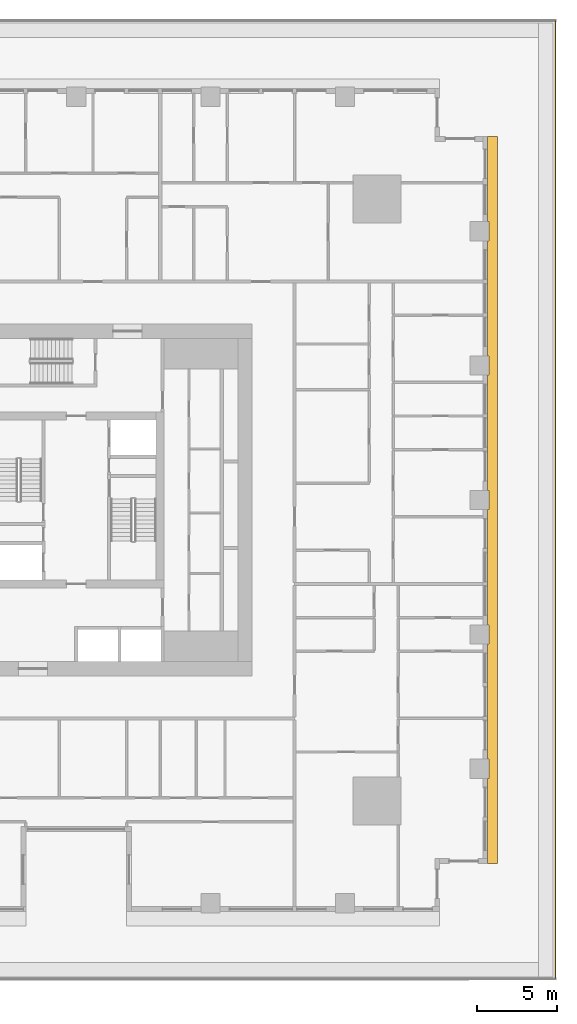
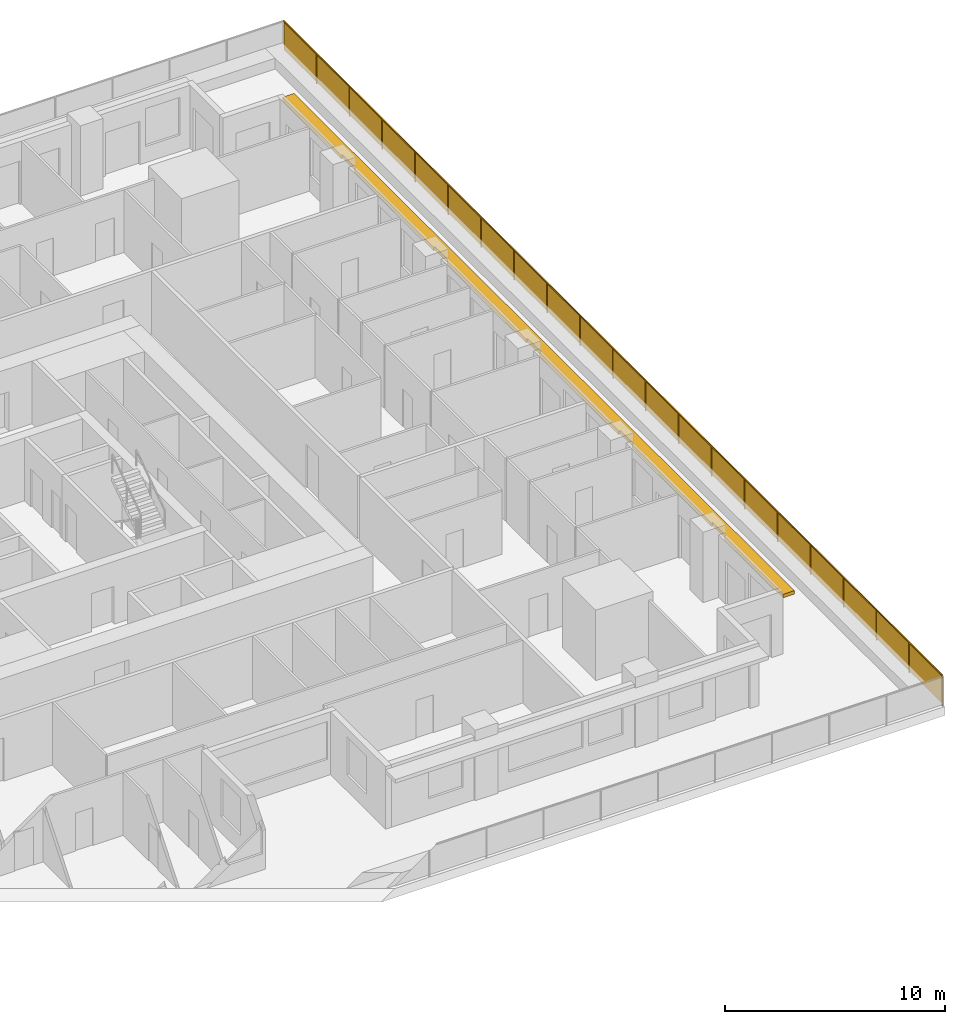
# One storey, part 14 of 16: 1 railing, 1 shading device.
"""IFC4 building model written with IfcOpenShell, lengths in metres."""

from ifc_helpers import new_model, si_unit, direction, frame, origin, origin_2d, place, context, subcontext, project, spatial, polyline, rectangle, outline, extrude, material, layer, layer_set, type_object, element, save


model = new_model("IFC4")

# Units and contexts
model_context = context("Model", 3, precision=1e-05, world=origin(), true_north=direction((0.0, 1.0)))
body_context = subcontext(model_context, "Body", "Model", "MODEL_VIEW")
ifc_project = project(units=[si_unit("LENGTHUNIT", "METRE"), si_unit("AREAUNIT", "SQUARE_METRE"), si_unit("VOLUMEUNIT", "CUBIC_METRE"), si_unit("PLANEANGLEUNIT", "RADIAN"), si_unit("MASSUNIT", "GRAM", prefix="KILO")], contexts=[model_context])

# Site, building, storey
site_placement = place(None, origin())
site = spatial("IfcSite", under=ifc_project, at=site_placement, CompositionType="ELEMENT")
building_placement = place(site_placement, origin())
building = spatial("IfcBuilding", under=site, at=building_placement, Name="Khepri Terraces", CompositionType="ELEMENT")
storey_placement = place(building_placement, frame((0.0, 0.0, 27.0)))
storey = spatial("IfcBuildingStorey", under=building, at=storey_placement, Name="L05", CompositionType="ELEMENT", Elevation=27.0)

# Railing
ifc_material_1 = material(Name="Stainless steel grade 316", Category="steel")
railing_type = type_object("IfcRailingType", Name="GRD-TERR-1700", PredefinedType="GUARDRAIL", material=ifc_material_1)
railing_placement = place(storey_placement, frame((29.949951171875, 29.949951171875, 0.0)))
element("IfcRailing", 1, at=railing_placement, inside=storey, type_object=railing_type, Name="Terrace guard L05", PredefinedType="GUARDRAIL", context=body_context, shape_type="SweptSolid", body=[
    extrude(rectangle(XDim=0.050048828125, YDim=0.06005859375, at=origin_2d()), frame((0.0, 0.0, 1.669921875), z_axis=(0.0, -1.0, 0.0), x_axis=(1.0, 0.0, 0.0)), (0.0, 0.0, 1.0), 59.820068359375),
    extrude(rectangle(XDim=2.94091796875, YDim=0.011962890625, at=origin_2d()), frame((0.0, -1.49560546875, 0.10009765625), z_axis=(0.0, 0.0, 1.0), x_axis=(0.0, -1.0, 0.0)), (0.0, 0.0, 1.0), 1.539794921875),
    extrude(rectangle(XDim=2.94091796875, YDim=0.011962890625, at=origin_2d()), frame((0.0, -4.486572265625, 0.10009765625), z_axis=(0.0, 0.0, 1.0), x_axis=(0.0, -1.0, 0.0)), (0.0, 0.0, 1.0), 1.539794921875),
    extrude(rectangle(XDim=2.94091796875, YDim=0.011962890625, at=origin_2d()), frame((0.0, -7.4775390625, 0.10009765625), z_axis=(0.0, 0.0, 1.0), x_axis=(0.0, -1.0, 0.0)), (0.0, 0.0, 1.0), 1.539794921875),
    extrude(rectangle(XDim=2.94091796875, YDim=0.011962890625, at=origin_2d()), frame((0.0, -10.468505859375, 0.10009765625), z_axis=(0.0, 0.0, 1.0), x_axis=(0.0, -1.0, 0.0)), (0.0, 0.0, 1.0), 1.539794921875),
    extrude(rectangle(XDim=2.94091796875, YDim=0.011962890625, at=origin_2d()), frame((0.0, -13.45947265625, 0.10009765625), z_axis=(0.0, 0.0, 1.0), x_axis=(0.0, -1.0, 0.0)), (0.0, 0.0, 1.0), 1.539794921875),
    extrude(rectangle(XDim=2.94091796875, YDim=0.011962890625, at=origin_2d()), frame((0.0, -16.450439453125, 0.10009765625), z_axis=(0.0, 0.0, 1.0), x_axis=(0.0, -1.0, 0.0)), (0.0, 0.0, 1.0), 1.539794921875),
    extrude(rectangle(XDim=2.94091796875, YDim=0.011962890625, at=origin_2d()), frame((0.0, -19.44140625, 0.10009765625), z_axis=(0.0, 0.0, 1.0), x_axis=(0.0, -1.0, 0.0)), (0.0, 0.0, 1.0), 1.539794921875),
    extrude(rectangle(XDim=2.94091796875, YDim=0.011962890625, at=origin_2d()), frame((0.0, -22.4326171875, 0.10009765625), z_axis=(0.0, 0.0, 1.0), x_axis=(0.0, -1.0, 0.0)), (0.0, 0.0, 1.0), 1.539794921875),
    extrude(rectangle(XDim=2.94091796875, YDim=0.011962890625, at=origin_2d()), frame((0.0, -25.423583984375, 0.10009765625), z_axis=(0.0, 0.0, 1.0), x_axis=(0.0, -1.0, 0.0)), (0.0, 0.0, 1.0), 1.539794921875),
    extrude(rectangle(XDim=2.94091796875, YDim=0.011962890625, at=origin_2d()), frame((0.0, -28.41455078125, 0.10009765625), z_axis=(0.0, 0.0, 1.0), x_axis=(0.0, -1.0, 0.0)), (0.0, 0.0, 1.0), 1.539794921875),
    extrude(rectangle(XDim=2.94091796875, YDim=0.011962890625, at=origin_2d()), frame((0.0, -31.405517578125, 0.10009765625), z_axis=(0.0, 0.0, 1.0), x_axis=(0.0, -1.0, 0.0)), (0.0, 0.0, 1.0), 1.539794921875),
    extrude(rectangle(XDim=2.94091796875, YDim=0.011962890625, at=origin_2d()), frame((0.0, -34.396484375, 0.10009765625), z_axis=(0.0, 0.0, 1.0), x_axis=(0.0, -1.0, 0.0)), (0.0, 0.0, 1.0), 1.539794921875),
    extrude(rectangle(XDim=2.94091796875, YDim=0.011962890625, at=origin_2d()), frame((0.0, -37.387451171875, 0.10009765625), z_axis=(0.0, 0.0, 1.0), x_axis=(0.0, -1.0, 0.0)), (0.0, 0.0, 1.0), 1.539794921875),
    extrude(rectangle(XDim=2.94091796875, YDim=0.011962890625, at=origin_2d()), frame((0.0, -40.378662109375, 0.10009765625), z_axis=(0.0, 0.0, 1.0), x_axis=(0.0, -1.0, 0.0)), (0.0, 0.0, 1.0), 1.539794921875),
    extrude(rectangle(XDim=2.94091796875, YDim=0.011962890625, at=origin_2d()), frame((0.0, -43.36962890625, 0.10009765625), z_axis=(0.0, 0.0, 1.0), x_axis=(0.0, -1.0, 0.0)), (0.0, 0.0, 1.0), 1.539794921875),
    extrude(rectangle(XDim=2.94091796875, YDim=0.011962890625, at=origin_2d()), frame((0.0, -46.360595703125, 0.10009765625), z_axis=(0.0, 0.0, 1.0), x_axis=(0.0, -1.0, 0.0)), (0.0, 0.0, 1.0), 1.539794921875),
    extrude(rectangle(XDim=2.94091796875, YDim=0.011962890625, at=origin_2d()), frame((0.0, -49.3515625, 0.10009765625), z_axis=(0.0, 0.0, 1.0), x_axis=(0.0, -1.0, 0.0)), (0.0, 0.0, 1.0), 1.539794921875),
    extrude(rectangle(XDim=2.94091796875, YDim=0.011962890625, at=origin_2d()), frame((0.0, -52.342529296875, 0.10009765625), z_axis=(0.0, 0.0, 1.0), x_axis=(0.0, -1.0, 0.0)), (0.0, 0.0, 1.0), 1.539794921875),
    extrude(rectangle(XDim=2.94091796875, YDim=0.011962890625, at=origin_2d()), frame((0.0, -55.33349609375, 0.10009765625), z_axis=(0.0, 0.0, 1.0), x_axis=(0.0, -1.0, 0.0)), (0.0, 0.0, 1.0), 1.539794921875),
    extrude(rectangle(XDim=2.94091796875, YDim=0.011962890625, at=origin_2d()), frame((0.0, -58.324462890625, 0.10009765625), z_axis=(0.0, 0.0, 1.0), x_axis=(0.0, -1.0, 0.0)), (0.0, 0.0, 1.0), 1.539794921875),
    extrude(rectangle(XDim=0.050048828125, YDim=0.050048828125, at=origin_2d()), frame((0.0, -2.990966796875, 0.0)), (0.0, 0.0, 1.0), 1.639892578125),
    extrude(rectangle(XDim=0.050048828125, YDim=0.050048828125, at=origin_2d()), frame((0.0, -5.98193359375, 0.0)), (0.0, 0.0, 1.0), 1.639892578125),
    extrude(rectangle(XDim=0.050048828125, YDim=0.050048828125, at=origin_2d()), frame((0.0, -8.972900390625, 0.0)), (0.0, 0.0, 1.0), 1.639892578125),
    extrude(rectangle(XDim=0.050048828125, YDim=0.050048828125, at=origin_2d()), frame((0.0, -11.964111328125, 0.0)), (0.0, 0.0, 1.0), 1.639892578125),
    extrude(rectangle(XDim=0.050048828125, YDim=0.050048828125, at=origin_2d()), frame((0.0, -14.955078125, 0.0)), (0.0, 0.0, 1.0), 1.639892578125),
    extrude(rectangle(XDim=0.050048828125, YDim=0.050048828125, at=origin_2d()), frame((0.0, -17.946044921875, 0.0)), (0.0, 0.0, 1.0), 1.639892578125),
    extrude(rectangle(XDim=0.050048828125, YDim=0.050048828125, at=origin_2d()), frame((0.0, -20.93701171875, 0.0)), (0.0, 0.0, 1.0), 1.639892578125),
    extrude(rectangle(XDim=0.050048828125, YDim=0.050048828125, at=origin_2d()), frame((0.0, -23.927978515625, 0.0)), (0.0, 0.0, 1.0), 1.639892578125),
    extrude(rectangle(XDim=0.050048828125, YDim=0.050048828125, at=origin_2d()), frame((0.0, -26.9189453125, 0.0)), (0.0, 0.0, 1.0), 1.639892578125),
    extrude(rectangle(XDim=0.050048828125, YDim=0.050048828125, at=origin_2d()), frame((0.0, -29.91015625, 0.0)), (0.0, 0.0, 1.0), 1.639892578125),
    extrude(rectangle(XDim=0.050048828125, YDim=0.050048828125, at=origin_2d()), frame((0.0, -32.901123046875, 0.0)), (0.0, 0.0, 1.0), 1.639892578125),
    extrude(rectangle(XDim=0.050048828125, YDim=0.050048828125, at=origin_2d()), frame((0.0, -35.89208984375, 0.0)), (0.0, 0.0, 1.0), 1.639892578125),
    extrude(rectangle(XDim=0.050048828125, YDim=0.050048828125, at=origin_2d()), frame((0.0, -38.883056640625, 0.0)), (0.0, 0.0, 1.0), 1.639892578125),
    extrude(rectangle(XDim=0.050048828125, YDim=0.050048828125, at=origin_2d()), frame((0.0, -41.8740234375, 0.0)), (0.0, 0.0, 1.0), 1.639892578125),
    extrude(rectangle(XDim=0.050048828125, YDim=0.050048828125, at=origin_2d()), frame((0.0, -44.864990234375, 0.0)), (0.0, 0.0, 1.0), 1.639892578125),
    extrude(rectangle(XDim=0.050048828125, YDim=0.050048828125, at=origin_2d()), frame((0.0, -47.85595703125, 0.0)), (0.0, 0.0, 1.0), 1.639892578125),
    extrude(rectangle(XDim=0.050048828125, YDim=0.050048828125, at=origin_2d()), frame((0.0, -50.84716796875, 0.0)), (0.0, 0.0, 1.0), 1.639892578125),
    extrude(rectangle(XDim=0.050048828125, YDim=0.050048828125, at=origin_2d()), frame((0.0, -53.838134765625, 0.0)), (0.0, 0.0, 1.0), 1.639892578125),
    extrude(rectangle(XDim=0.050048828125, YDim=0.050048828125, at=origin_2d()), frame((0.0, -56.8291015625, 0.0)), (0.0, 0.0, 1.0), 1.639892578125),
    extrude(rectangle(XDim=0.050048828125, YDim=0.050048828125, at=origin_2d()), frame((0.0, -59.820068359375, 0.0)), (0.0, 0.0, 1.0), 1.639892578125),
])

# Shading device
ifc_material_2 = material(Name="Precast concrete C50/60 warm stone", Category="masonry")
ifc_layer = layer(ifc_material_2, 0.199951171875, Name="Precast concrete C50/60 warm stone", Category="masonry")
ifc_layer_set = layer_set([ifc_layer], Name="Precast concrete C50/60 warm stone")
shading_device_type = type_object("IfcShadingDeviceType", Name="SSH-BAND-STONE-200-N", PredefinedType="USERDEFINED", material=ifc_layer_set)
shading_device_placement = place(storey_placement, frame((0.0, 0.0, 3.10009765625)))
element("IfcShadingDevice", 2, at=shading_device_placement, inside=storey, type_object=shading_device_type, Name="Sunshade band L05 E", ObjectType="SUNSHADE", PredefinedType="USERDEFINED", context=body_context, shape_type="SweptSolid", body=[
    extrude(outline(polyline([(25.719970703125, -17.39990234375), (25.719970703125, -22.719970703125), (26.320068359375, -22.719970703125), (26.320068359375, 22.719970703125), (25.719970703125, 22.719970703125), (25.719970703125, 17.39990234375), (25.800048828125, 17.39990234375), (25.800048828125, 16.199951171875), (25.719970703125, 16.199951171875), (25.719970703125, 9.0), (25.800048828125, 9.0), (25.800048828125, 7.800048828125), (25.719970703125, 7.800048828125), (25.719970703125, 0.60009765625), (25.800048828125, 0.60009765625), (25.800048828125, -0.60009765625), (25.719970703125, -0.60009765625), (25.719970703125, -7.800048828125), (25.800048828125, -7.800048828125), (25.800048828125, -9.0), (25.719970703125, -9.0), (25.719970703125, -16.199951171875), (25.800048828125, -16.199951171875), (25.800048828125, -17.39990234375), (25.719970703125, -17.39990234375)])), origin(), (0.0, 0.0, 1.0), 0.199951171875),
])

save(model, "model.ifc")
